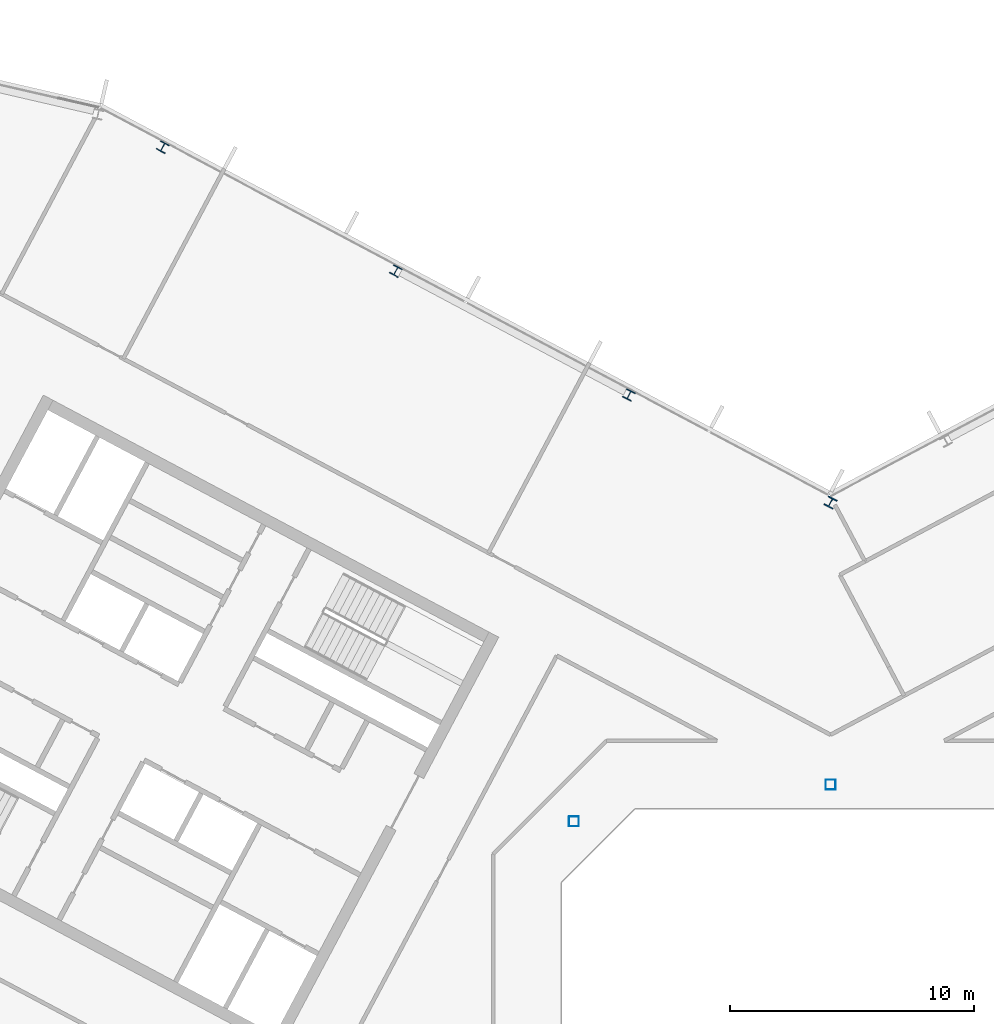
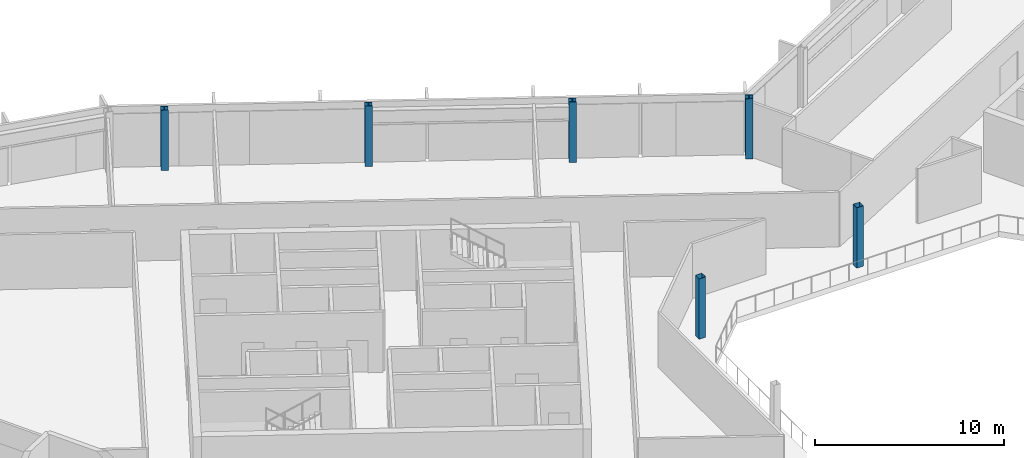
# One storey, part 4 of 25: 6 columns.
"""IFC4 building model written with IfcOpenShell, lengths in metres."""

import ifcopenshell
import ifcopenshell.guid

model = None  # the IFC model being written
_history = None  # IfcOwnerHistory: only IFC2X3 demands one
_inside = {}  # id of a spatial element -> (the spatial element, [elements in it])
_under = {}  # id of a project, library or spatial element -> (it, [spatial elements below it])
_declared = {}  # id of a project -> (the project, [libraries it declares])
_typed = {}  # id of a type object -> (the type object, [elements of that type])
_made_of = {}  # id of a material, layer set ... -> (it, [elements and type objects made of it])


def new_model(schema):
    """Start an empty IFC model of exactly this schema.

    Asked for "IFC4X3", IfcOpenShell would pick the latest addendum, in which some entities
    have other attributes; the version numbers below select the first issue.
    IFC2X3 requires an IfcOwnerHistory on every rooted entity: one is made here for all.
    """
    global model, _history
    if schema == "IFC4X3":
        model = ifcopenshell.file(schema_version=(4, 3, 0, 0))
    else:
        model = ifcopenshell.file(schema=schema)
    _inside.clear()
    _under.clear()
    _declared.clear()
    _typed.clear()
    _made_of.clear()
    _history = None
    if model.schema == "IFC2X3":
        org = make("IfcOrganization", Name="unknown")
        user = make(
            "IfcPersonAndOrganization",
            ThePerson=make("IfcPerson", FamilyName="unknown"),
            TheOrganization=org,
        )
        app = make(
            "IfcApplication",
            ApplicationDeveloper=org,
            Version="unknown",
            ApplicationFullName="unknown",
            ApplicationIdentifier="unknown",
        )
        _history = make(
            "IfcOwnerHistory",
            OwningUser=user,
            OwningApplication=app,
            ChangeAction="ADDED",
            CreationDate=0,
        )
    return model


def make(cls, **values):
    """One entity of the class cls with the attributes given. An attribute that is None is left unset."""
    return model.create_entity(
        cls, **{name: value for name, value in values.items() if value is not None}
    )


def rooted(cls, **values):
    """An entity with a GlobalId (a new one), such as an element, a storey or a relation."""
    return make(cls, GlobalId=ifcopenshell.guid.new(), OwnerHistory=_history, **values)


def si_unit(unit_type, name, prefix=None):
    """IfcSIUnit, for example si_unit("LENGTHUNIT", "METRE", prefix="MILLI")."""
    return make("IfcSIUnit", UnitType=unit_type, Prefix=prefix, Name=name)


def assignment(units):
    """IfcUnitAssignment: the units of a project."""
    return None if units is None else make("IfcUnitAssignment", Units=units)


def point(xyz):
    """IfcCartesianPoint."""
    return None if xyz is None else make("IfcCartesianPoint", Coordinates=xyz)


def direction(xyz):
    """IfcDirection."""
    return None if xyz is None else make("IfcDirection", DirectionRatios=xyz)


def frame(location, z_axis=None, x_axis=None):
    """IfcAxis2Placement3D, a coordinate frame: its origin and axes. An axis left out is left unset."""
    return make(
        "IfcAxis2Placement3D",
        Location=point(location),
        Axis=direction(z_axis),
        RefDirection=direction(x_axis),
    )


def frame_2d(location, x_axis=None):
    """IfcAxis2Placement2D, a coordinate frame in the plane: its origin and x axis."""
    return make(
        "IfcAxis2Placement2D", Location=point(location), RefDirection=direction(x_axis)
    )


def origin():
    """The frame at (0, 0, 0) with its axes left unset."""
    return frame((0.0, 0.0, 0.0))


def origin_2d():
    """The frame at (0, 0) in the plane with its x axis left unset."""
    return frame_2d((0.0, 0.0))


def place(relative_to, where):
    """IfcLocalPlacement: puts the frame where relative to a parent placement (None: the world)."""
    return make(
        "IfcLocalPlacement", PlacementRelTo=relative_to, RelativePlacement=where
    )


def context(
    kind, dimensions, precision=None, world=None, true_north=None, identifier=None
):
    """IfcGeometricRepresentationContext, for example the 3D "Model" context."""
    return make(
        "IfcGeometricRepresentationContext",
        ContextIdentifier=identifier,
        ContextType=kind,
        CoordinateSpaceDimension=dimensions,
        Precision=precision,
        WorldCoordinateSystem=world,
        TrueNorth=true_north,
    )


def subcontext(parent, identifier, kind, view, scale=None):
    """IfcGeometricRepresentationSubContext, for example "Body" below "Model"."""
    return make(
        "IfcGeometricRepresentationSubContext",
        ContextIdentifier=identifier,
        ContextType=kind,
        ParentContext=parent,
        TargetScale=scale,
        TargetView=view,
    )


def project(units=None, contexts=None):
    """IfcProject with its units and contexts."""
    return rooted(
        "IfcProject",
        Name="project",
        RepresentationContexts=contexts,
        UnitsInContext=assignment(units),
    )


def spatial(cls, under=None, at=None, **own):
    """A site, building, storey or space (cls), placed at a placement, below another one or the project."""
    s = rooted(cls, ObjectPlacement=at, **own)
    if under is not None:
        _under.setdefault(under.id(), (under, []))[1].append(s)
    return s


def profile(cls, at=None, kind="AREA", **sizes):
    """A parametric profile (cls). Its sizes go by their IFC names, for example OverallWidth=200.0."""
    return make(cls, ProfileType=kind, Position=at, **sizes)


def hollow_rectangle(**sizes):
    """IfcRectangleHollowProfileDef."""
    return profile("IfcRectangleHollowProfileDef", **sizes)


def i_section(**sizes):
    """IfcIShapeProfileDef."""
    return profile("IfcIShapeProfileDef", **sizes)


def extrude(swept, where, along, depth):
    """IfcExtrudedAreaSolid: the profile swept, set in the frame where, extruded along a direction by depth."""
    return make(
        "IfcExtrudedAreaSolid",
        SweptArea=swept,
        Position=where,
        ExtrudedDirection=direction(along),
        Depth=depth,
    )


def shape(context_of_items, identifier, shape_type, items):
    """IfcShapeRepresentation: the items that make up one representation, for example the "Body"."""
    return make(
        "IfcShapeRepresentation",
        ContextOfItems=context_of_items,
        RepresentationIdentifier=identifier,
        RepresentationType=shape_type,
        Items=items,
    )


def material(Name=None, Category=None):
    """IfcMaterial."""
    return make("IfcMaterial", Name=Name, Category=Category)


def material_profile(
    of_material, cross_section, Name=None, Category=None, Priority=None
):
    """IfcMaterialProfile: a cross section and its material."""
    return make(
        "IfcMaterialProfile",
        Name=Name,
        Material=of_material,
        Profile=cross_section,
        Priority=Priority,
        Category=Category,
    )


def profile_set(profiles, Name=None, composite=None):
    """IfcMaterialProfileSet."""
    return make(
        "IfcMaterialProfileSet",
        Name=Name,
        MaterialProfiles=profiles,
        CompositeProfile=composite,
    )


def made_of(thing, what):
    """Note that an element or type object is made of a material, layer set ...; save() writes the relation."""
    if what is not None:
        _made_of.setdefault(what.id(), (what, []))[1].append(thing)
    return thing


def type_object(cls, material=None, **own):
    """A type object (cls), such as IfcWallType, which elements share."""
    return made_of(rooted(cls, **own), material)


def element(
    cls,
    number,
    at=None,
    inside=None,
    cuts=None,
    type_object=None,
    material=None,
    context=None,
    identifier="Body",
    shape_type=None,
    held_by="IfcProductDefinitionShape",
    body=None,
    shapes=None,
    **own,
):
    """One element of the class cls, such as IfcWall. Its Tag is "e" and its number.

    at: its placement. inside: the storey or other place that contains it. cuts: it is an
    opening in that element (IfcRelVoidsElement). A single representation is given by context,
    identifier, shape_type and body (its items); several are given by shapes. held_by: the class
    of the entity that holds the representations. save() writes the other relations.
    """
    e = rooted(cls, Tag="e%d" % number, ObjectPlacement=at, **own)
    if body is not None:
        shapes = [shape(context, identifier, shape_type, body)]
    if shapes is not None:
        e.Representation = make(held_by, Representations=shapes)
    if inside is not None:
        _inside.setdefault(inside.id(), (inside, []))[1].append(e)
    if cuts is not None:
        rooted(
            "IfcRelVoidsElement", RelatingBuildingElement=cuts, RelatedOpeningElement=e
        )
    if type_object is not None:
        _typed.setdefault(type_object.id(), (type_object, []))[1].append(e)
    return made_of(e, material)


def aggregate(whole, parts):
    """IfcRelAggregates: a whole, such as a stair, and the parts it consists of."""
    return rooted("IfcRelAggregates", RelatingObject=whole, RelatedObjects=parts)


def save(model, path):
    """Write the relations noted so far, then the file.

    IfcRelAggregates (storeys below a building ...), IfcRelContainedInSpatialStructure (elements
    in a storey), IfcRelDefinesByType, IfcRelAssociatesMaterial and IfcRelDeclares: one each for
    every whole, place, type object, material and project.
    """
    for whole, parts in _under.values():
        aggregate(whole, parts)
    for where, things in _inside.values():
        rooted(
            "IfcRelContainedInSpatialStructure",
            RelatedElements=things,
            RelatingStructure=where,
        )
    for kind, things in _typed.values():
        rooted("IfcRelDefinesByType", RelatedObjects=things, RelatingType=kind)
    for what, things in _made_of.values():
        rooted("IfcRelAssociatesMaterial", RelatedObjects=things, RelatingMaterial=what)
    for by, libraries in _declared.values():
        rooted("IfcRelDeclares", RelatingContext=by, RelatedDefinitions=libraries)
    model.write(path)


model = new_model("IFC4")

# Units and contexts
model_context = context("Model", 3, precision=1e-05, world=origin(), true_north=direction((0.0, 1.0)))
body_context = subcontext(model_context, "Body", "Model", "MODEL_VIEW")
ifc_project = project(units=[si_unit("LENGTHUNIT", "METRE"), si_unit("AREAUNIT", "SQUARE_METRE"), si_unit("VOLUMEUNIT", "CUBIC_METRE"), si_unit("PLANEANGLEUNIT", "RADIAN"), si_unit("MASSUNIT", "GRAM", prefix="KILO")], contexts=[model_context])

# Site, building, storey
site_placement = place(None, origin())
site = spatial("IfcSite", under=ifc_project, at=site_placement, CompositionType="ELEMENT")
building_placement = place(site_placement, origin())
building = spatial("IfcBuilding", under=site, at=building_placement, Name="Cormorant Relay Tower", CompositionType="ELEMENT")
storey_placement = place(building_placement, frame((0.0, 0.0, 297.0)))
storey = spatial("IfcBuildingStorey", under=building, at=storey_placement, Name="L67", CompositionType="ELEMENT", Elevation=297.0)

# Columns
ifc_material_1 = material(Name="Steel ASTM A500 Grade C (Fy 345 MPa)", Category="steel")
ifc_material_profile_1 = material_profile(ifc_material_1, hollow_rectangle(XDim=0.406494140625, YDim=0.406494140625, WallThickness=0.0087890625, InnerFilletRadius=0.00439453125, OuterFilletRadius=0.01318359375, at=origin_2d()), Name="HSS406x406x9")
ifc_profile_set_1 = profile_set([ifc_material_profile_1], Name="Steel ASTM A500 Grade C (Fy 345 MPa)")
column_type_1 = type_object("IfcColumnType", Name="Column HSS406x406x9", PredefinedType="COLUMN", material=ifc_profile_set_1)
for number, where, z_axis, x_axis, name in (
    (1, (-10.5, 10.5, 0.0), (0.0, 0.0, 1.0), (1.0, 0.0, 0.0), "Column L67-023"),
    (2, (0.0, 12.0, 0.0), (0.0, 0.0, 1.0), (1.0, 0.0, 0.0), "Column L67-025"),
):
    element("IfcColumn", number, at=place(storey_placement, frame(where, z_axis=z_axis, x_axis=x_axis)), inside=storey, type_object=column_type_1, Name=name, PredefinedType="COLUMN", context=body_context, shape_type="SweptSolid", body=[
        extrude(hollow_rectangle(XDim=0.406494140625, YDim=0.406494140625, WallThickness=0.0087890625, InnerFilletRadius=0.00439453125, OuterFilletRadius=0.01318359375, at=origin_2d()), origin(), (0.0, 0.0, 1.0), 3.89990234375),
    ])
ifc_material_2 = material(Name="Steel ASTM A992 (Fy 345 MPa)", Category="steel")
ifc_material_profile_2 = material_profile(ifc_material_2, i_section(OverallWidth=0.398681640625, OverallDepth=0.385986328125, WebThickness=0.02099609375, FlangeThickness=0.033203125, FilletRadius=0.01513671875, at=origin_2d()), Name="W360x262")
ifc_profile_set_2 = profile_set([ifc_material_profile_2], Name="Steel ASTM A992 (Fy 345 MPa)")
column_type_2 = type_object("IfcColumnType", Name="Column W360x262", PredefinedType="COLUMN", material=ifc_profile_set_2)
for number, where, z_axis, x_axis, name in (
    (3, (-8.2470703125, 27.943115234375, 0.0), (0.0, 0.0, 1.0), (-0.882947592859, 0.469471562786, 0.0), "Column L67-032"),
    (4, (-17.782958984375, 33.012939453125, 0.0), (0.0, 0.0, 1.0), (-0.882947592859, 0.469471562786, 0.0), "Column L67-036"),
    (5, (-27.319091796875, 38.0830078125, 0.0), (0.0, 0.0, 1.0), (-0.882947592859, 0.469471562786, 0.0), "Column L67-040"),
):
    element("IfcColumn", number, at=place(storey_placement, frame(where, z_axis=z_axis, x_axis=x_axis)), inside=storey, type_object=column_type_2, Name=name, PredefinedType="COLUMN", context=body_context, shape_type="SweptSolid", body=[
        extrude(i_section(OverallWidth=0.398681640625, OverallDepth=0.385986328125, WebThickness=0.02099609375, FlangeThickness=0.033203125, FilletRadius=0.01513671875, at=origin_2d()), origin(), (0.0, 0.0, 1.0), 3.89990234375),
    ])
ifc_material_3 = material(Name="Steel ASTM A992 (Fy 345 MPa)", Category="steel")
ifc_material_profile_3 = material_profile(ifc_material_3, i_section(OverallWidth=0.40380859375, OverallDepth=0.406494140625, WebThickness=0.027099609375, FlangeThickness=0.043701171875, FilletRadius=0.01513671875, at=origin_2d()), Name="W360x347")
ifc_profile_set_3 = profile_set([ifc_material_profile_3], Name="Steel ASTM A992 (Fy 345 MPa)")
column_type_3 = type_object("IfcColumnType", Name="Column W360x347", PredefinedType="COLUMN", material=ifc_profile_set_3)
column_placement = place(storey_placement, frame((0.0, 23.5439453125, 0.0), z_axis=(0.0, 0.0, 1.0), x_axis=(-0.882947592859, 0.469471562786, 0.0)))
element("IfcColumn", 6, at=column_placement, inside=storey, type_object=column_type_3, Name="Column L67-029", PredefinedType="COLUMN", context=body_context, shape_type="SweptSolid", body=[
    extrude(i_section(OverallWidth=0.40380859375, OverallDepth=0.406494140625, WebThickness=0.027099609375, FlangeThickness=0.043701171875, FilletRadius=0.01513671875, at=origin_2d()), origin(), (0.0, 0.0, 1.0), 3.89990234375),
])

save(model, "model.ifc")
